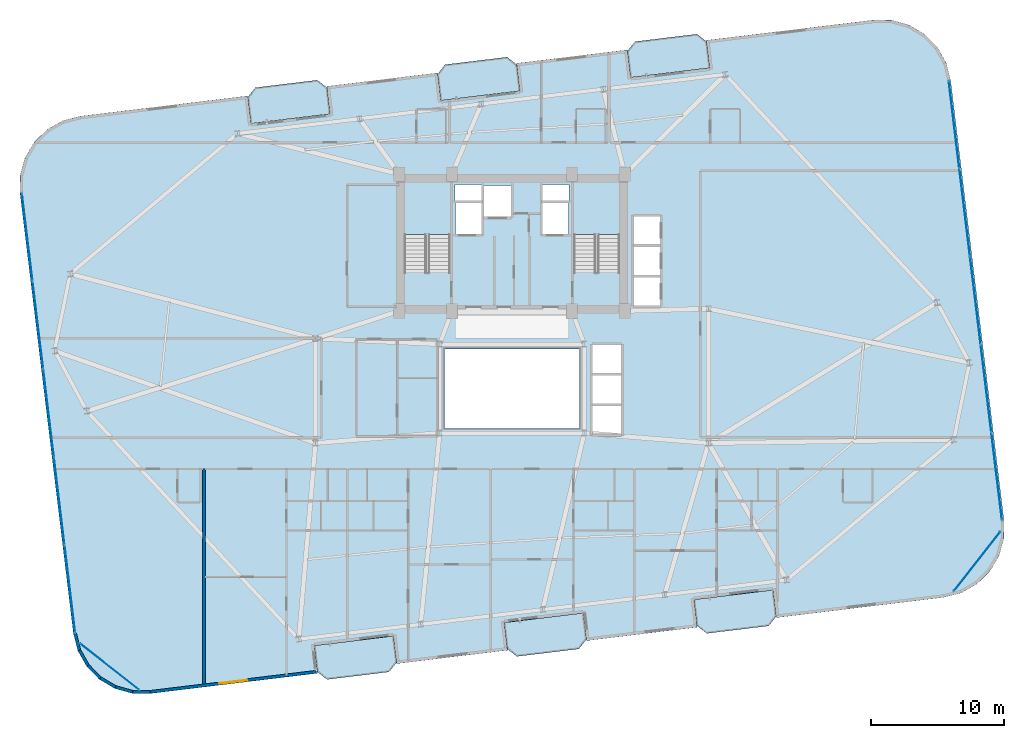
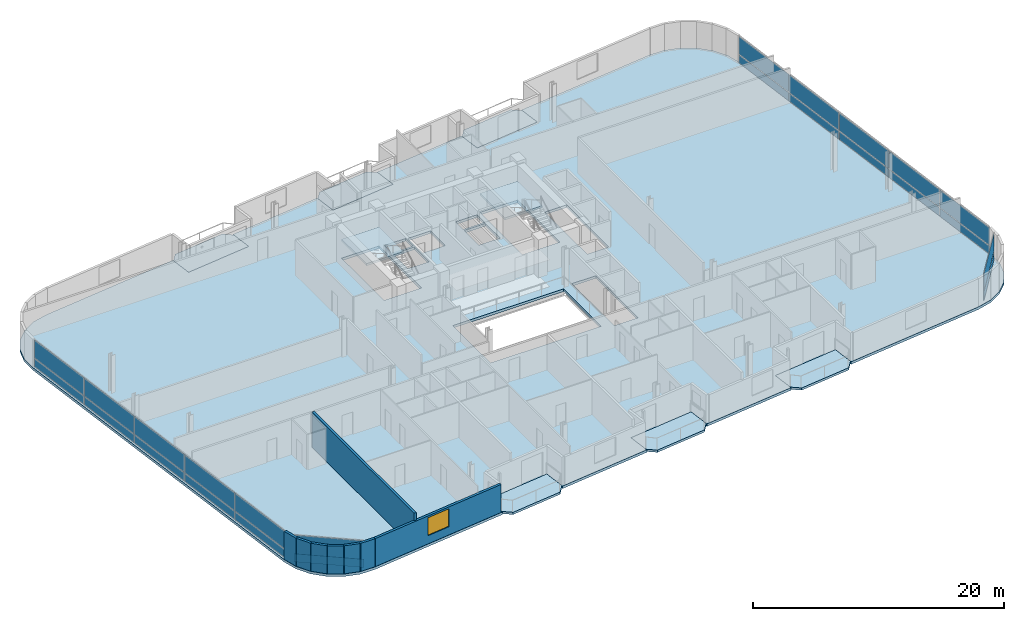
# One storey, part 14 of 24: 24 plates, 9 slabs, 8 walls, 1 window, 1 opening, 6 elements without a shape of their own.
"""IFC4 building model written with IfcOpenShell, lengths in metres."""

from ifc_helpers import new_model, si_unit, direction, frame, frame_2d, origin, origin_2d, place, context, subcontext, project, spatial, polyline, rectangle, outline, extrude, source, transform, mapped, material, layer, layer_set, type_object, element, fill, aggregate, save


model = new_model("IFC4")

# Units and contexts
model_context = context("Model", 3, precision=1e-05, world=origin(), true_north=direction((0.0, 1.0)))
body_context = subcontext(model_context, "Body", "Model", "MODEL_VIEW")
ifc_project = project(units=[si_unit("LENGTHUNIT", "METRE"), si_unit("AREAUNIT", "SQUARE_METRE"), si_unit("VOLUMEUNIT", "CUBIC_METRE"), si_unit("PLANEANGLEUNIT", "RADIAN"), si_unit("MASSUNIT", "GRAM", prefix="KILO")], contexts=[model_context])

# Site, building, storey
site_placement = place(None, origin())
site = spatial("IfcSite", under=ifc_project, at=site_placement, CompositionType="ELEMENT")
building_placement = place(site_placement, origin())
building = spatial("IfcBuilding", under=site, at=building_placement, Name="Varnelok Gate Tower", CompositionType="ELEMENT")
storey_placement = place(building_placement, frame((0.0, 0.0, 167.199951171875)))
storey = spatial("IfcBuildingStorey", under=building, at=storey_placement, Name="L42", CompositionType="ELEMENT", Elevation=167.199951171875)

# Slabs
ifc_material_1 = material(Name="Concrete C45/55", Category="concrete")
ifc_layer_1 = layer(ifc_material_1, 0.219970703125)
ifc_layer_set_1 = layer_set([ifc_layer_1], Name="Concrete C45/55")
slab_type_1 = type_object("IfcSlabType", Name="SLB-BALC-220", PredefinedType="FLOOR", material=ifc_layer_set_1)
slab_1_placement = place(storey_placement, frame((0.0, 0.0, -0.219970703125)))
element("IfcSlab", 1, at=slab_1_placement, inside=storey, type_object=slab_type_1, Name="L42 South Hollow Balcony 1", PredefinedType="FLOOR", context=body_context, shape_type="SweptSolid", body=[
    extrude(outline(polyline([(24.550048828125, 1.564453125), (25.2734375, 0.997314453125), (29.939208984375, 1.56298828125), (30.50634765625, 2.28662109375), (30.265625, 4.27197265625), (24.309326171875, 3.5498046875), (24.550048828125, 1.564453125)])), origin(), (0.0, 0.0, 1.0), 0.219970703125),
])
slab_2_placement = place(storey_placement, frame((0.0, 0.0, -0.219970703125)))
element("IfcSlab", 2, at=slab_2_placement, inside=storey, type_object=slab_type_1, Name="L42 South Hollow Balcony 2", PredefinedType="FLOOR", context=body_context, shape_type="SweptSolid", body=[
    extrude(outline(polyline([(38.84521484375, 3.29736328125), (39.56884765625, 2.73046875), (44.234619140625, 3.2958984375), (44.8017578125, 4.01953125), (44.56103515625, 6.0048828125), (38.6044921875, 5.282958984375), (38.84521484375, 3.29736328125)])), origin(), (0.0, 0.0, 1.0), 0.219970703125),
])
slab_3_placement = place(storey_placement, frame((0.0, 0.0, -0.219970703125)))
element("IfcSlab", 3, at=slab_3_placement, inside=storey, type_object=slab_type_1, Name="L42 South Hollow Balcony 3", PredefinedType="FLOOR", context=body_context, shape_type="SweptSolid", body=[
    extrude(outline(polyline([(53.140625, 5.030517578125), (53.8642578125, 4.46337890625), (58.530029296875, 5.02880859375), (59.09716796875, 5.75244140625), (58.8564453125, 7.73779296875), (52.89990234375, 7.015869140625), (53.140625, 5.030517578125)])), origin(), (0.0, 0.0, 1.0), 0.219970703125),
])
slab_4_placement = place(storey_placement, frame((0.0, 0.0, -0.219970703125)))
element("IfcSlab", 4, at=slab_4_placement, inside=storey, type_object=slab_type_1, Name="L42 North Hollow Balcony 1", PredefinedType="FLOOR", context=body_context, shape_type="SweptSolid", body=[
    extrude(outline(polyline([(19.543701171875, 42.862060546875), (25.5, 43.584228515625), (25.25927734375, 45.569580078125), (24.535888671875, 46.13671875), (19.8701171875, 45.571044921875), (19.302978515625, 44.84765625), (19.543701171875, 42.862060546875)])), origin(), (0.0, 0.0, 1.0), 0.219970703125),
])
slab_5_placement = place(storey_placement, frame((0.0, 0.0, -0.219970703125)))
element("IfcSlab", 5, at=slab_5_placement, inside=storey, type_object=slab_type_1, Name="L42 North Hollow Balcony 2", PredefinedType="FLOOR", context=body_context, shape_type="SweptSolid", body=[
    extrude(outline(polyline([(33.839111328125, 44.59521484375), (39.79541015625, 45.317138671875), (39.5546875, 47.302490234375), (38.831298828125, 47.86962890625), (34.165283203125, 47.303955078125), (33.598388671875, 46.58056640625), (33.839111328125, 44.59521484375)])), origin(), (0.0, 0.0, 1.0), 0.219970703125),
])
slab_6_placement = place(storey_placement, frame((0.0, 0.0, -0.219970703125)))
element("IfcSlab", 6, at=slab_6_placement, inside=storey, type_object=slab_type_1, Name="L42 North Hollow Balcony 3", PredefinedType="FLOOR", context=body_context, shape_type="SweptSolid", body=[
    extrude(outline(polyline([(48.13427734375, 46.327880859375), (54.0908203125, 47.050048828125), (53.85009765625, 49.03564453125), (53.12646484375, 49.6025390625), (48.460693359375, 49.037109375), (47.8935546875, 48.3134765625), (48.13427734375, 46.327880859375)])), origin(), (0.0, 0.0, 1.0), 0.219970703125),
])

# Stair, slab
ifc_material_2 = material(Name="Concrete C50/60", Category="concrete")
stair_type = type_object("IfcStairType", Name="STR-CORE-1650", PredefinedType="HALF_TURN_STAIR", material=ifc_material_2)
stair_1_placement = place(storey_placement, origin())
stair_1 = element("IfcStair", 7, at=stair_1_placement, inside=storey, type_object=stair_type, Name="L42 Exit Stair ST-1", PredefinedType="HALF_TURN_STAIR")
ifc_layer_2 = layer(ifc_material_1, 0.199951171875)
ifc_layer_set_2 = layer_set([ifc_layer_2], Name="Concrete C45/55")
slab_type_2 = type_object("IfcSlabType", Name="SLB-LAND-200", PredefinedType="LANDING", material=ifc_layer_set_2)
slab_7_placement = place(storey_placement, frame((0.0, 0.0, 1.650146484375)))
slab_7 = element("IfcSlab", 8, at=slab_7_placement, type_object=slab_type_2, Name="ST-1 landing 1", PredefinedType="LANDING", context=body_context, shape_type="SweptSolid", body=[
    extrude(outline(polyline([(34.550048828125, 34.5), (34.550048828125, 38.449951171875), (31.10009765625, 38.449951171875), (31.10009765625, 34.5), (34.550048828125, 34.5)])), origin(), (0.0, 0.0, 1.0), 0.199951171875),
])
aggregate(stair_1, [slab_7])

stair_2_placement = place(storey_placement, origin())
stair_2 = element("IfcStair", 9, at=stair_2_placement, inside=storey, type_object=stair_type, Name="L42 Exit Stair ST-2", PredefinedType="HALF_TURN_STAIR")
slab_8_placement = place(storey_placement, frame((0.0, 0.0, 1.650146484375)))
slab_8 = element("IfcSlab", 10, at=slab_8_placement, type_object=slab_type_2, Name="ST-2 landing 1", PredefinedType="LANDING", context=body_context, shape_type="SweptSolid", body=[
    extrude(outline(polyline([(47.300048828125, 34.5), (47.300048828125, 38.449951171875), (43.85009765625, 38.449951171875), (43.85009765625, 34.5), (47.300048828125, 34.5)])), origin(), (0.0, 0.0, 1.0), 0.199951171875),
])
aggregate(stair_2, [slab_8])

# Slab
ifc_layer_3 = layer(ifc_material_2, 0.25)
ifc_layer_set_3 = layer_set([ifc_layer_3], Name="Concrete C50/60")
slab_type_3 = type_object("IfcSlabType", Name="SLB-TYP-250", PredefinedType="FLOOR", material=ifc_layer_set_3)
slab_9_placement = place(storey_placement, frame((0.0, 0.0, -0.25)))
element("IfcSlab", 11, at=slab_9_placement, inside=storey, type_object=slab_type_3, Name="L42 Structural Floor Slab", PredefinedType="FLOOR", context=body_context, shape_type="SweptSolid", body=[
    extrude(outline(polyline([(6.166259765625, 4.47314453125), (6.504150390625, 3.158447265625), (7.1708984375, 1.975830078125), (8.120849609375, 1.006103515625), (9.289306640625, 0.3154296875), (10.596923828125, -0.04931640625), (11.954345703125, -0.063232421875), (22.87451171875, 1.260498046875), (24.56201171875, 1.465087890625), (24.309326171875, 3.5498046875), (30.265625, 4.27197265625), (30.518310546875, 2.187255859375), (38.857421875, 3.197998046875), (38.6044921875, 5.282958984375), (44.56103515625, 6.0048828125), (44.813720703125, 3.920166015625), (53.152587890625, 4.93115234375), (52.89990234375, 7.015869140625), (58.8564453125, 7.73779296875), (59.109130859375, 5.6533203125), (60.796630859375, 5.85791015625), (71.716796875, 7.181396484375), (73.031494140625, 7.519287109375), (74.214111328125, 8.18603515625), (75.183837890625, 9.135986328125), (75.87451171875, 10.3046875), (76.2392578125, 11.612060546875), (76.253173828125, 12.969482421875), (72.233642578125, 46.126708984375), (71.895751953125, 47.441650390625), (71.229248046875, 48.6240234375), (70.279296875, 49.59375), (69.110595703125, 50.284423828125), (67.802978515625, 50.6494140625), (66.44580078125, 50.6630859375), (55.525634765625, 49.33935546875), (53.837890625, 49.134765625), (54.0908203125, 47.050048828125), (48.13427734375, 46.327880859375), (47.881591796875, 48.412841796875), (39.54248046875, 47.40185546875), (39.79541015625, 45.317138671875), (33.839111328125, 44.59521484375), (33.586181640625, 46.6796875), (25.247314453125, 45.6689453125), (25.5, 43.584228515625), (19.543701171875, 42.862060546875), (19.291015625, 44.94677734375), (17.603271484375, 44.7421875), (6.68310546875, 43.41845703125), (5.368408203125, 43.08056640625), (4.18603515625, 42.413818359375), (3.21630859375, 41.464111328125), (2.525390625, 40.29541015625), (2.16064453125, 38.98779296875), (2.146728515625, 37.630615234375), (6.166259765625, 4.47314453125)]), holes=[polyline([(34.550048828125, 31.679931640625), (34.550048828125, 38.449951171875), (31.10009765625, 38.449951171875), (31.10009765625, 31.679931640625), (34.550048828125, 31.679931640625)]), polyline([(47.300048828125, 31.679931640625), (47.300048828125, 38.449951171875), (43.85009765625, 38.449951171875), (43.85009765625, 31.679931640625), (47.300048828125, 31.679931640625)]), polyline([(34.949951171875, 34.550048828125), (36.89990234375, 34.550048828125), (36.89990234375, 36.89990234375), (34.949951171875, 36.89990234375), (34.949951171875, 34.550048828125)]), polyline([(41.5, 34.550048828125), (43.449951171875, 34.550048828125), (43.449951171875, 36.89990234375), (41.5, 36.89990234375), (41.5, 34.550048828125)]), polyline([(37.050048828125, 35.85009765625), (39.14990234375, 35.85009765625), (39.14990234375, 38.199951171875), (37.050048828125, 38.199951171875), (37.050048828125, 35.85009765625)]), polyline([(48.35009765625, 29.14990234375), (50.35009765625, 29.14990234375), (50.35009765625, 35.89990234375), (48.35009765625, 35.89990234375), (48.35009765625, 29.14990234375)]), polyline([(45.25, 19.449951171875), (47.449951171875, 19.449951171875), (47.449951171875, 26.199951171875), (45.25, 26.199951171875), (45.25, 19.449951171875)]), polyline([(34.919921875, 37.080078125), (36.89990234375, 37.080078125), (36.89990234375, 38.280029296875), (34.919921875, 38.280029296875), (34.919921875, 37.080078125)]), polyline([(41.5, 37.080078125), (43.47998046875, 37.080078125), (43.47998046875, 38.280029296875), (41.5, 38.280029296875), (41.5, 37.080078125)]), polyline([(34.10009765625, 19.89990234375), (44.300048828125, 19.89990234375), (44.300048828125, 25.89990234375), (34.10009765625, 25.89990234375), (34.10009765625, 19.89990234375)])]), origin(), (0.0, 0.0, 1.0), 0.25),
])

# Curtain wall, plates
ifc_material_3 = material(Name="Anodized Aluminum Alloy 6063-T6", Category="aluminium")
ifc_layer_4 = layer(ifc_material_3, 0.179931640625)
ifc_layer_set_4 = layer_set([ifc_layer_4], Name="Anodized Aluminum Alloy 6063-T6")
curtain_wall_type_1 = type_object("IfcCurtainWallType", Name="CW4-RESIDENCE-VISION", PredefinedType="USERDEFINED", material=ifc_layer_set_4)
curtain_wall_1_placement = place(storey_placement, origin())
curtain_wall_1 = element("IfcCurtainWall", 12, at=curtain_wall_1_placement, inside=storey, type_object=curtain_wall_type_1, Name="L42 West End Vision Curtain Wall", ObjectType="UNITISED CURTAIN WALL", PredefinedType="USERDEFINED")
ifc_material_4 = material(Name="Low-E Laminated Double Glazing IGU", Category="glass")
ifc_layer_5 = layer(ifc_material_4, 0.035888671875)
ifc_layer_set_5 = layer_set([ifc_layer_5], Name="Low-E Laminated Double Glazing IGU")
plate_type_1 = type_object("IfcPlateType", Name="CW-PNL-IGU36", PredefinedType="CURTAIN_PANEL", material=ifc_layer_set_5)
shared_shape_1 = source(origin(), body_context, "Body", "SweptSolid", [
    extrude(rectangle(XDim=6.5673828125, YDim=0.035888671875, at=origin_2d()), origin(), (0.0, 0.0, 1.0), 0.78759765625),
])
plate_1_placement = place(storey_placement, frame((5.901123046875, 7.824462890625, 0.074951171875), z_axis=(0.0, 0.0, 1.0), x_axis=(-0.120344511371, 0.992732188751, 0.0)))
plate_1 = element("IfcPlate", 13, at=plate_1_placement, type_object=plate_type_1, Name="CW4 panel 1.1", PredefinedType="CURTAIN_PANEL", context=body_context, shape_type="MappedRepresentation", body=[
    mapped(shared_shape_1, transform((0.0, 0.0, 0.0), scale=1.0)),
])
plate_2_placement = place(storey_placement, frame((2.68994140625, 34.31298828125, 0.074951171875), z_axis=(0.0, 0.0, 1.0), x_axis=(-0.120344511371, 0.992732188751, 0.0)))
plate_2 = element("IfcPlate", 14, at=plate_2_placement, type_object=plate_type_1, Name="CW4 panel 5.1", PredefinedType="CURTAIN_PANEL", context=body_context, shape_type="MappedRepresentation", body=[
    mapped(shared_shape_1, transform((0.0, 0.0, 0.0), scale=1.0)),
])

curtain_wall_2_placement = place(storey_placement, origin())
curtain_wall_2 = element("IfcCurtainWall", 15, at=curtain_wall_2_placement, inside=storey, type_object=curtain_wall_type_1, Name="L42 East End Vision Curtain Wall", ObjectType="UNITISED CURTAIN WALL", PredefinedType="USERDEFINED")
plate_3_placement = place(storey_placement, frame((72.4990234375, 42.775634765625, 0.074951171875), z_axis=(0.0, 0.0, 1.0), x_axis=(0.120344511371, -0.992732188751, 0.0)))
plate_3 = element("IfcPlate", 16, at=plate_3_placement, type_object=plate_type_1, Name="CW4 panel 1.1", PredefinedType="CURTAIN_PANEL", context=body_context, shape_type="MappedRepresentation", body=[
    mapped(shared_shape_1, transform((0.0, 0.0, 0.0), scale=1.0)),
])
plate_4_placement = place(storey_placement, frame((75.7099609375, 16.287109375, 0.074951171875), z_axis=(0.0, 0.0, 1.0), x_axis=(0.120344511371, -0.992732188751, 0.0)))
plate_4 = element("IfcPlate", 17, at=plate_4_placement, type_object=plate_type_1, Name="CW4 panel 5.1", PredefinedType="CURTAIN_PANEL", context=body_context, shape_type="MappedRepresentation", body=[
    mapped(shared_shape_1, transform((0.0, 0.0, 0.0), scale=1.0)),
])

# Plate
shared_shape_2 = source(origin(), body_context, "Body", "SweptSolid", [
    extrude(rectangle(XDim=6.5673828125, YDim=0.035888671875, at=origin_2d()), origin(), (0.0, 0.0, 1.0), 1.717529296875),
])
plate_5_placement = place(storey_placement, frame((5.901123046875, 7.824462890625, 0.9375), z_axis=(0.0, 0.0, 1.0), x_axis=(-0.120344511371, 0.992732188751, 0.0)))
plate_5 = element("IfcPlate", 18, at=plate_5_placement, type_object=plate_type_1, Name="CW4 panel 1.2", PredefinedType="CURTAIN_PANEL", context=body_context, shape_type="MappedRepresentation", body=[
    mapped(shared_shape_2, transform((0.0, 0.0, 0.0), scale=1.0)),
])

plate_6_placement = place(storey_placement, frame((2.68994140625, 34.31298828125, 0.9375), z_axis=(0.0, 0.0, 1.0), x_axis=(-0.120344511371, 0.992732188751, 0.0)))
plate_6 = element("IfcPlate", 19, at=plate_6_placement, type_object=plate_type_1, Name="CW4 panel 5.2", PredefinedType="CURTAIN_PANEL", context=body_context, shape_type="MappedRepresentation", body=[
    mapped(shared_shape_2, transform((0.0, 0.0, 0.0), scale=1.0)),
])

plate_7_placement = place(storey_placement, frame((72.4990234375, 42.775634765625, 0.9375), z_axis=(0.0, 0.0, 1.0), x_axis=(0.120344511371, -0.992732188751, 0.0)))
plate_7 = element("IfcPlate", 20, at=plate_7_placement, type_object=plate_type_1, Name="CW4 panel 1.2", PredefinedType="CURTAIN_PANEL", context=body_context, shape_type="MappedRepresentation", body=[
    mapped(shared_shape_2, transform((0.0, 0.0, 0.0), scale=1.0)),
])

plate_8_placement = place(storey_placement, frame((75.7099609375, 16.287109375, 0.9375), z_axis=(0.0, 0.0, 1.0), x_axis=(0.120344511371, -0.992732188751, 0.0)))
plate_8 = element("IfcPlate", 21, at=plate_8_placement, type_object=plate_type_1, Name="CW4 panel 5.2", PredefinedType="CURTAIN_PANEL", context=body_context, shape_type="MappedRepresentation", body=[
    mapped(shared_shape_2, transform((0.0, 0.0, 0.0), scale=1.0)),
])

shared_shape_3 = source(origin(), body_context, "Body", "SweptSolid", [
    extrude(rectangle(XDim=6.60498046875, YDim=0.035888671875, at=origin_2d()), origin(), (0.0, 0.0, 1.0), 0.78759765625),
])
plate_9_placement = place(storey_placement, frame((5.099365234375, 14.437255859375, 0.074951171875), z_axis=(0.0, 0.0, 1.0), x_axis=(-0.120344511371, 0.992732188751, 0.0)))
plate_9 = element("IfcPlate", 22, at=plate_9_placement, type_object=plate_type_1, Name="CW4 panel 2.1", PredefinedType="CURTAIN_PANEL", context=body_context, shape_type="MappedRepresentation", body=[
    mapped(shared_shape_3, transform((0.0, 0.0, 0.0), scale=1.0)),
])

plate_10_placement = place(storey_placement, frame((4.295654296875, 21.068603515625, 0.074951171875), z_axis=(0.0, 0.0, 1.0), x_axis=(-0.120344511371, 0.992732188751, 0.0)))
plate_10 = element("IfcPlate", 23, at=plate_10_placement, type_object=plate_type_1, Name="CW4 panel 3.1", PredefinedType="CURTAIN_PANEL", context=body_context, shape_type="MappedRepresentation", body=[
    mapped(shared_shape_3, transform((0.0, 0.0, 0.0), scale=1.0)),
])

plate_11_placement = place(storey_placement, frame((3.49169921875, 27.7001953125, 0.074951171875), z_axis=(0.0, 0.0, 1.0), x_axis=(-0.120344511371, 0.992732188751, 0.0)))
plate_11 = element("IfcPlate", 24, at=plate_11_placement, type_object=plate_type_1, Name="CW4 panel 4.1", PredefinedType="CURTAIN_PANEL", context=body_context, shape_type="MappedRepresentation", body=[
    mapped(shared_shape_3, transform((0.0, 0.0, 0.0), scale=1.0)),
])

plate_12_placement = place(storey_placement, frame((73.300537109375, 36.162841796875, 0.074951171875), z_axis=(0.0, 0.0, 1.0), x_axis=(0.120344511371, -0.992732188751, 0.0)))
plate_12 = element("IfcPlate", 25, at=plate_12_placement, type_object=plate_type_1, Name="CW4 panel 2.1", PredefinedType="CURTAIN_PANEL", context=body_context, shape_type="MappedRepresentation", body=[
    mapped(shared_shape_3, transform((0.0, 0.0, 0.0), scale=1.0)),
])

plate_13_placement = place(storey_placement, frame((74.1044921875, 29.53125, 0.074951171875), z_axis=(0.0, 0.0, 1.0), x_axis=(0.120344511371, -0.992732188751, 0.0)))
plate_13 = element("IfcPlate", 26, at=plate_13_placement, type_object=plate_type_1, Name="CW4 panel 3.1", PredefinedType="CURTAIN_PANEL", context=body_context, shape_type="MappedRepresentation", body=[
    mapped(shared_shape_3, transform((0.0, 0.0, 0.0), scale=1.0)),
])

plate_14_placement = place(storey_placement, frame((74.908447265625, 22.89990234375, 0.074951171875), z_axis=(0.0, 0.0, 1.0), x_axis=(0.120344511371, -0.992732188751, 0.0)))
plate_14 = element("IfcPlate", 27, at=plate_14_placement, type_object=plate_type_1, Name="CW4 panel 4.1", PredefinedType="CURTAIN_PANEL", context=body_context, shape_type="MappedRepresentation", body=[
    mapped(shared_shape_3, transform((0.0, 0.0, 0.0), scale=1.0)),
])

shared_shape_4 = source(origin(), body_context, "Body", "SweptSolid", [
    extrude(rectangle(XDim=6.60498046875, YDim=0.035888671875, at=origin_2d()), origin(), (0.0, 0.0, 1.0), 1.717529296875),
])
plate_15_placement = place(storey_placement, frame((5.099365234375, 14.437255859375, 0.9375), z_axis=(0.0, 0.0, 1.0), x_axis=(-0.120344511371, 0.992732188751, 0.0)))
plate_15 = element("IfcPlate", 28, at=plate_15_placement, type_object=plate_type_1, Name="CW4 panel 2.2", PredefinedType="CURTAIN_PANEL", context=body_context, shape_type="MappedRepresentation", body=[
    mapped(shared_shape_4, transform((0.0, 0.0, 0.0), scale=1.0)),
])

plate_16_placement = place(storey_placement, frame((4.295654296875, 21.068603515625, 0.9375), z_axis=(0.0, 0.0, 1.0), x_axis=(-0.120344511371, 0.992732188751, 0.0)))
plate_16 = element("IfcPlate", 29, at=plate_16_placement, type_object=plate_type_1, Name="CW4 panel 3.2", PredefinedType="CURTAIN_PANEL", context=body_context, shape_type="MappedRepresentation", body=[
    mapped(shared_shape_4, transform((0.0, 0.0, 0.0), scale=1.0)),
])

plate_17_placement = place(storey_placement, frame((3.49169921875, 27.7001953125, 0.9375), z_axis=(0.0, 0.0, 1.0), x_axis=(-0.120344511371, 0.992732188751, 0.0)))
plate_17 = element("IfcPlate", 30, at=plate_17_placement, type_object=plate_type_1, Name="CW4 panel 4.2", PredefinedType="CURTAIN_PANEL", context=body_context, shape_type="MappedRepresentation", body=[
    mapped(shared_shape_4, transform((0.0, 0.0, 0.0), scale=1.0)),
])

aggregate(curtain_wall_1, [plate_1, plate_5, plate_9, plate_15, plate_10, plate_16, plate_11, plate_17, plate_2, plate_6])

plate_18_placement = place(storey_placement, frame((73.300537109375, 36.162841796875, 0.9375), z_axis=(0.0, 0.0, 1.0), x_axis=(0.120344511371, -0.992732188751, 0.0)))
plate_18 = element("IfcPlate", 31, at=plate_18_placement, type_object=plate_type_1, Name="CW4 panel 2.2", PredefinedType="CURTAIN_PANEL", context=body_context, shape_type="MappedRepresentation", body=[
    mapped(shared_shape_4, transform((0.0, 0.0, 0.0), scale=1.0)),
])

plate_19_placement = place(storey_placement, frame((74.1044921875, 29.53125, 0.9375), z_axis=(0.0, 0.0, 1.0), x_axis=(0.120344511371, -0.992732188751, 0.0)))
plate_19 = element("IfcPlate", 32, at=plate_19_placement, type_object=plate_type_1, Name="CW4 panel 3.2", PredefinedType="CURTAIN_PANEL", context=body_context, shape_type="MappedRepresentation", body=[
    mapped(shared_shape_4, transform((0.0, 0.0, 0.0), scale=1.0)),
])

plate_20_placement = place(storey_placement, frame((74.908447265625, 22.89990234375, 0.9375), z_axis=(0.0, 0.0, 1.0), x_axis=(0.120344511371, -0.992732188751, 0.0)))
plate_20 = element("IfcPlate", 33, at=plate_20_placement, type_object=plate_type_1, Name="CW4 panel 4.2", PredefinedType="CURTAIN_PANEL", context=body_context, shape_type="MappedRepresentation", body=[
    mapped(shared_shape_4, transform((0.0, 0.0, 0.0), scale=1.0)),
])

aggregate(curtain_wall_2, [plate_3, plate_7, plate_12, plate_18, plate_13, plate_19, plate_14, plate_20, plate_4, plate_8])

# Curtain wall, plates
ifc_layer_6 = layer(ifc_material_3, 0.179931640625)
ifc_layer_set_6 = layer_set([ifc_layer_6], Name="Anodized Aluminum Alloy 6063-T6")
curtain_wall_type_2 = type_object("IfcCurtainWallType", Name="CW5-WINDCORNER-GLAZ", PredefinedType="USERDEFINED", material=ifc_layer_set_6)
curtain_wall_3_placement = place(storey_placement, origin())
curtain_wall_3 = element("IfcCurtainWall", 34, at=curtain_wall_3_placement, inside=storey, type_object=curtain_wall_type_2, Name="L42 Wind-Shaped Corner Curtain Wall SW", ObjectType="STRUCTURAL GLAZING", PredefinedType="USERDEFINED")
ifc_layer_7 = layer(ifc_material_4, 0.0419921875)
ifc_layer_set_7 = layer_set([ifc_layer_7], Name="Low-E Laminated Double Glazing IGU")
plate_type_2 = type_object("IfcPlateType", Name="CW-PNL-SPN42", PredefinedType="CURTAIN_PANEL", material=ifc_layer_set_7)
shared_shape_5 = source(origin(), body_context, "Body", "SweptSolid", [
    extrude(rectangle(XDim=5.6259765625, YDim=0.0419921875, at=origin_2d()), origin(), (0.0, 0.0, 1.0), 0.802490234375),
])
plate_21_placement = place(storey_placement, frame((8.872802734375, 1.9658203125, 0.06494140625), z_axis=(0.0, 0.0, 1.0), x_axis=(0.787070733481, -0.616862756615, 0.0)))
plate_21 = element("IfcPlate", 35, at=plate_21_placement, type_object=plate_type_2, Name="CW5 panel 1.1", PredefinedType="CURTAIN_PANEL", context=body_context, shape_type="MappedRepresentation", body=[
    mapped(shared_shape_5, transform((0.0, 0.0, 0.0), scale=1.0)),
])
shared_shape_6 = source(origin(), body_context, "Body", "SweptSolid", [
    extrude(rectangle(XDim=5.6259765625, YDim=0.0419921875, at=origin_2d()), origin(), (0.0, 0.0, 1.0), 1.732421875),
])
plate_22_placement = place(storey_placement, frame((8.872802734375, 1.9658203125, 0.9326171875), z_axis=(0.0, 0.0, 1.0), x_axis=(0.787070733481, -0.616862756615, 0.0)))
plate_22 = element("IfcPlate", 36, at=plate_22_placement, type_object=plate_type_2, Name="CW5 panel 1.2", PredefinedType="CURTAIN_PANEL", context=body_context, shape_type="MappedRepresentation", body=[
    mapped(shared_shape_6, transform((0.0, 0.0, 0.0), scale=1.0)),
])
aggregate(curtain_wall_3, [plate_21, plate_22])

curtain_wall_4_placement = place(storey_placement, origin())
curtain_wall_4 = element("IfcCurtainWall", 37, at=curtain_wall_4_placement, inside=storey, type_object=curtain_wall_type_2, Name="L42 Wind-Shaped Corner Curtain Wall SE", ObjectType="STRUCTURAL GLAZING", PredefinedType="USERDEFINED")
shared_shape_7 = source(origin(), body_context, "Body", "SweptSolid", [
    extrude(rectangle(XDim=5.625732421875, YDim=0.0419921875, at=origin_2d()), origin(), (0.0, 0.0, 1.0), 0.802490234375),
])
plate_23_placement = place(storey_placement, frame((74.224365234375, 9.887939453125, 0.06494140625), z_axis=(0.0, 0.0, 1.0), x_axis=(0.616871191769, 0.787064122397, 0.0)))
plate_23 = element("IfcPlate", 38, at=plate_23_placement, type_object=plate_type_2, Name="CW5 panel 1.1", PredefinedType="CURTAIN_PANEL", context=body_context, shape_type="MappedRepresentation", body=[
    mapped(shared_shape_7, transform((0.0, 0.0, 0.0), scale=1.0)),
])
shared_shape_8 = source(origin(), body_context, "Body", "SweptSolid", [
    extrude(rectangle(XDim=5.625732421875, YDim=0.0419921875, at=origin_2d()), origin(), (0.0, 0.0, 1.0), 1.732421875),
])
plate_24_placement = place(storey_placement, frame((74.224365234375, 9.887939453125, 0.9326171875), z_axis=(0.0, 0.0, 1.0), x_axis=(0.616871191769, 0.787064122397, 0.0)))
plate_24 = element("IfcPlate", 39, at=plate_24_placement, type_object=plate_type_2, Name="CW5 panel 1.2", PredefinedType="CURTAIN_PANEL", context=body_context, shape_type="MappedRepresentation", body=[
    mapped(shared_shape_8, transform((0.0, 0.0, 0.0), scale=1.0)),
])
aggregate(curtain_wall_4, [plate_23, plate_24])

# Walls
ifc_layer_8 = layer(ifc_material_1, 0.219970703125)
ifc_layer_set_8 = layer_set([ifc_layer_8], Name="Concrete C45/55")
wall_type_1 = type_object("IfcWallType", Name="EW-BALC-220", PredefinedType="SOLIDWALL", material=ifc_layer_set_8)
wall_1_placement = place(storey_placement, frame((6.286376953125, 4.48779296875, 0.0), z_axis=(0.0, 0.0, 1.0), x_axis=(0.248942347653, -0.968518305219, 0.0)))
element("IfcWall", 40, at=wall_1_placement, inside=storey, type_object=wall_type_1, Name="L42 Perimeter Facade Closure Wall 1", PredefinedType="SOLIDWALL", context=body_context, shape_type="SweptSolid", body=[
    extrude(rectangle(XDim=1.325927734375, YDim=0.219970703125, at=frame_2d((0.6630859375, 0.0))), origin(), (0.0, 0.0, 1.0), 2.72998046875),
])
for number, where, z_axis, x_axis, name in (
    (41, (6.62890625, 3.181884765625, 0.0), (0.0, 0.0, 1.0), (0.490956091431, -0.871184318205, 0.0), "L42 Perimeter Facade Closure Wall 2"),
    (42, (7.28515625, 2.03076171875, 0.0), (0.0, 0.0, 1.0), (0.699844331926, -0.714295394827, 0.0), "L42 Perimeter Facade Closure Wall 3"),
    (43, (8.217041015625, 1.088623046875, 0.0), (0.0, 0.0, 1.0), (0.860885425627, -0.508798863936, 0.0), "L42 Perimeter Facade Closure Wall 4"),
):
    element("IfcWall", number, at=place(storey_placement, frame(where, z_axis=z_axis, x_axis=x_axis)), inside=storey, type_object=wall_type_1, Name=name, PredefinedType="SOLIDWALL", context=body_context, shape_type="SweptSolid", body=[
        extrude(rectangle(XDim=1.30078125, YDim=0.219970703125, at=frame_2d((0.650390625, 0.0))), origin(), (0.0, 0.0, 1.0), 2.72998046875),
    ])
wall_2_placement = place(storey_placement, frame((9.36083984375, 0.420166015625, 0.0), z_axis=(0.0, 0.0, 1.0), x_axis=(0.963218895288, -0.268717992997, 0.0)))
element("IfcWall", 44, at=wall_2_placement, inside=storey, type_object=wall_type_1, Name="L42 Perimeter Facade Closure Wall 5", PredefinedType="SOLIDWALL", context=body_context, shape_type="SweptSolid", body=[
    extrude(rectangle(XDim=1.301025390625, YDim=0.219970703125, at=frame_2d((0.650390625, 0.0))), origin(), (0.0, 0.0, 1.0), 2.72998046875),
])
wall_3_placement = place(storey_placement, frame((10.638916015625, 0.0703125, 0.0), z_axis=(0.0, 0.0, 1.0), x_axis=(0.999947377741, -0.010258740119, 0.0)))
element("IfcWall", 45, at=wall_3_placement, inside=storey, type_object=wall_type_1, Name="L42 Perimeter Facade Closure Wall 6", PredefinedType="SOLIDWALL", context=body_context, shape_type="SweptSolid", body=[
    extrude(rectangle(XDim=1.308837890625, YDim=0.219970703125, at=frame_2d((0.654296875, 0.0))), origin(), (0.0, 0.0, 1.0), 2.72998046875),
])

# Wall, opening, window
wall_4_placement = place(storey_placement, frame((11.972412109375, 0.059814453125, 0.0), z_axis=(0.0, 0.0, 1.0), x_axis=(0.992732021049, 0.120345894751, 0.0)))
wall_4 = element("IfcWall", 46, at=wall_4_placement, inside=storey, type_object=wall_type_1, Name="L42 Perimeter Facade Closure Wall 7", PredefinedType="SOLIDWALL", context=body_context, shape_type="SweptSolid", body=[
    extrude(rectangle(XDim=12.54736328125, YDim=0.219970703125, at=frame_2d((6.273681640625, 0.0))), origin(), (0.0, 0.0, 1.0), 2.72998046875),
])
opening_placement = place(wall_4_placement, frame((5.2236328125, 0.0, 0.800048828125)))
opening = element("IfcOpeningElement", 47, at=opening_placement, cuts=wall_4, Name="Opening WN4", PredefinedType="OPENING", context=body_context, shape_type="SweptSolid", body=[
    extrude(rectangle(XDim=2.10009765625, YDim=1.75, at=frame_2d((1.050048828125, 0.875))), frame((0.0, 0.119873046875, 0.0), z_axis=(0.0, -1.0, 0.0), x_axis=(1.0, 0.0, 0.0)), (0.0, 0.0, 1.0), 0.239990234375),
])
window_type = type_object("IfcWindowType", Name="WN-SUI-2100", PartitioningType="SINGLE_PANEL", PredefinedType="WINDOW", material=ifc_material_4)
window_placement = place(opening_placement, origin())
window = element("IfcWindow", 48, at=window_placement, inside=storey, type_object=window_type, Name="L42 Perimeter Vision Window 7", OverallHeight=1.75, OverallWidth=2.10009765625, PartitioningType="SINGLE_PANEL", PredefinedType="WINDOW", context=body_context, shape_type="SweptSolid", body=[
    extrude(rectangle(XDim=2.10009765625, YDim=1.75, at=frame_2d((1.050048828125, 0.875))), frame((0.0, 0.030029296875, 0.0), z_axis=(0.0, -1.0, 0.0), x_axis=(1.0, 0.0, 0.0)), (0.0, 0.0, 1.0), 0.06005859375),
])
fill(opening, window)

# Wall
ifc_material_5 = material(Name="Gypsum Plasterboard Acoustic Partition", Category="gypsum")
ifc_layer_9 = layer(ifc_material_5, 0.205078125)
ifc_layer_set_9 = layer_set([ifc_layer_9], Name="Gypsum Plasterboard Acoustic Partition")
wall_type_2 = type_object("IfcWallType", Name="PW-PARTY-200", PredefinedType="PARTITIONING", material=ifc_layer_set_9)
wall_5_placement = place(storey_placement, frame((16.0, 0.568359375, 0.0), z_axis=(0.0, 0.0, 1.0), x_axis=(0.0, 1.0, 0.0)))
element("IfcWall", 49, at=wall_5_placement, inside=storey, type_object=wall_type_2, Name="L42 South Party Wall 1", PredefinedType="PARTITIONING", context=body_context, shape_type="SweptSolid", body=[
    extrude(rectangle(XDim=16.28173828125, YDim=0.205078125, at=frame_2d((8.140869140625, 0.0))), origin(), (0.0, 0.0, 1.0), 3.449951171875),
])

save(model, "model.ifc")
